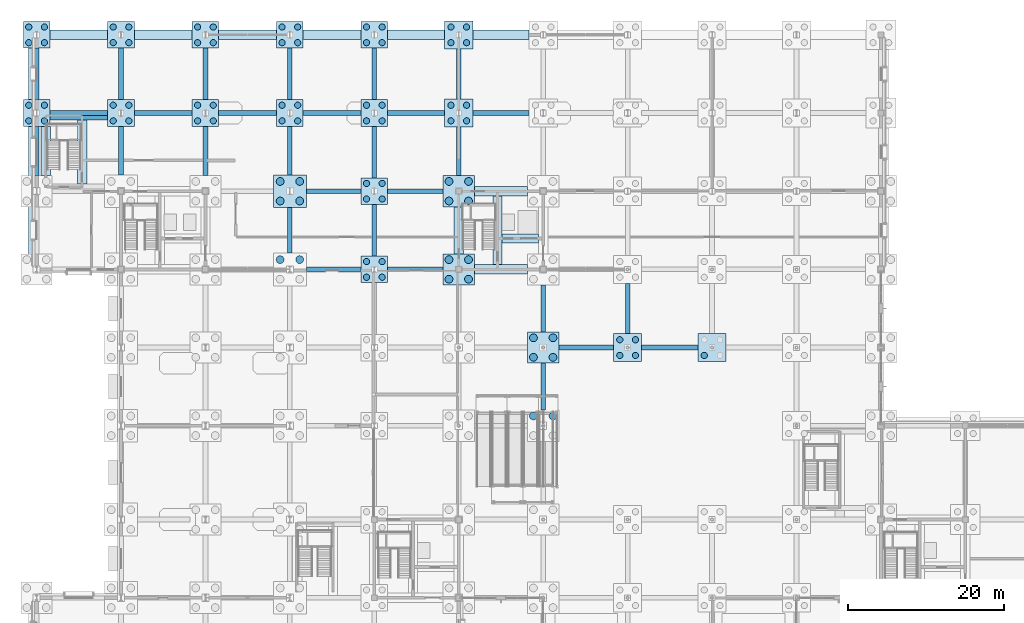
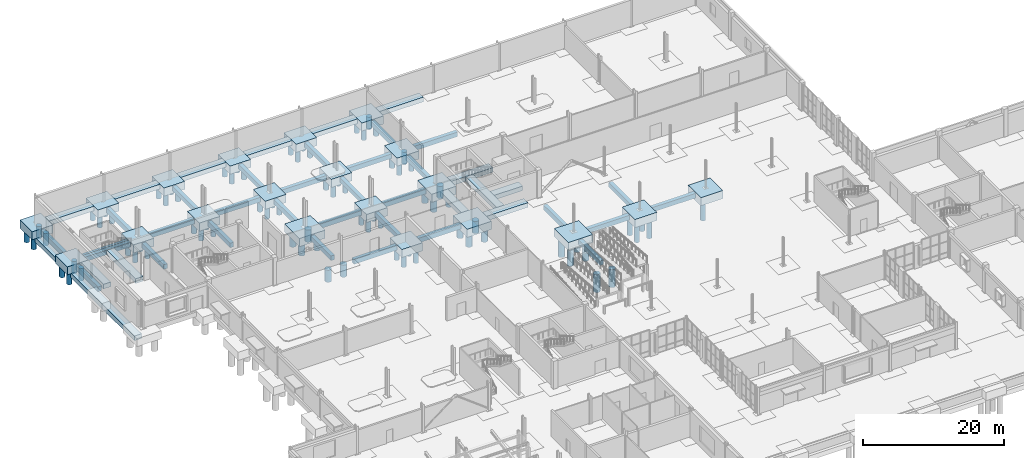
# One storey, part 5 of 73: 81 piles, 64 footings.
"""IFC4 building model written with IfcOpenShell, lengths in metres."""

from ifc_helpers import new_model, si_unit, direction, frame, origin, origin_2d, place, context, subcontext, project, spatial, rectangle, circle, extrude, material, material_profile, profile_set, type_object, element, save


model = new_model("IFC4")

# Units and contexts
model_context = context("Model", 3, precision=1e-05, world=origin(), true_north=direction((0.0, 1.0)))
body_context = subcontext(model_context, "Body", "Model", "MODEL_VIEW")
ifc_project = project(units=[si_unit("LENGTHUNIT", "METRE"), si_unit("AREAUNIT", "SQUARE_METRE"), si_unit("VOLUMEUNIT", "CUBIC_METRE"), si_unit("PLANEANGLEUNIT", "RADIAN"), si_unit("MASSUNIT", "GRAM", prefix="KILO")], contexts=[model_context])

# Site, building, storey
site_placement = place(None, origin())
site = spatial("IfcSite", under=ifc_project, at=site_placement, CompositionType="ELEMENT")
building_placement = place(site_placement, origin())
building = spatial("IfcBuilding", under=site, at=building_placement, Name="Tasgan Crest Museum", CompositionType="ELEMENT")
storey_placement = place(building_placement, origin())
storey = spatial("IfcBuildingStorey", under=building, at=storey_placement, Name="L00", CompositionType="ELEMENT", Elevation=0.0)

# Footings
ifc_material_1 = material(Name="Concrete C35/45", Category="concrete")
footing_type_1 = type_object("IfcFootingType", Name="FT-PC4-3400", PredefinedType="PILE_CAP", material=ifc_material_1)
for number, where, z_axis, x_axis, name in (
    (1, (0.0, 102.0, -1.39990234375), (0.0, 0.0, 1.0), (1.0, 0.0, 0.0), "Pile cap 1/L"),
    (2, (0.0, 112.0, -1.39990234375), (0.0, 0.0, 1.0), (1.0, 0.0, 0.0), "Pile cap 1/M"),
    (3, (10.800048828125, 102.0, -1.39990234375), (0.0, 0.0, 1.0), (1.0, 0.0, 0.0), "Pile cap 2/L"),
    (4, (10.800048828125, 112.0, -1.39990234375), (0.0, 0.0, 1.0), (1.0, 0.0, 0.0), "Pile cap 2/M"),
    (5, (21.60009765625, 102.0, -1.39990234375), (0.0, 0.0, 1.0), (1.0, 0.0, 0.0), "Pile cap 3/L"),
    (6, (21.60009765625, 112.0, -1.39990234375), (0.0, 0.0, 1.0), (1.0, 0.0, 0.0), "Pile cap 3/M"),
    (7, (32.39990234375, 102.0, -1.39990234375), (0.0, 0.0, 1.0), (1.0, 0.0, 0.0), "Pile cap 4/L"),
    (8, (32.39990234375, 112.0, -1.39990234375), (0.0, 0.0, 1.0), (1.0, 0.0, 0.0), "Pile cap 4/M"),
    (9, (43.199951171875, 82.0, -1.39990234375), (0.0, 0.0, 1.0), (1.0, 0.0, 0.0), "Pile cap 5/J"),
    (10, (43.199951171875, 92.0, -1.39990234375), (0.0, 0.0, 1.0), (1.0, 0.0, 0.0), "Pile cap 5/K"),
    (11, (43.199951171875, 102.0, -1.39990234375), (0.0, 0.0, 1.0), (1.0, 0.0, 0.0), "Pile cap 5/L"),
    (12, (43.199951171875, 112.0, -1.39990234375), (0.0, 0.0, 1.0), (1.0, 0.0, 0.0), "Pile cap 5/M"),
):
    element("IfcFooting", number, at=place(storey_placement, frame(where, z_axis=z_axis, x_axis=x_axis)), inside=storey, type_object=footing_type_1, Name=name, PredefinedType="PILE_CAP", context=body_context, shape_type="SweptSolid", body=[
        extrude(rectangle(XDim=3.39990234375, YDim=3.39990234375, at=origin_2d()), origin(), (0.0, 0.0, 1.0), 1.39990234375),
    ])
ifc_material_2 = material(Name="Concrete C35/45", Category="concrete")
footing_type_2 = type_object("IfcFootingType", Name="FT-PC4-3600", PredefinedType="PILE_CAP", material=ifc_material_2)
for number, where, z_axis, x_axis, name in (
    (13, (54.0, 102.0, -1.39990234375), (0.0, 0.0, 1.0), (1.0, 0.0, 0.0), "Pile cap 6/L"),
    (14, (54.0, 112.0, -1.39990234375), (0.0, 0.0, 1.0), (1.0, 0.0, 0.0), "Pile cap 6/M"),
    (15, (75.60009765625, 72.0, -1.39990234375), (0.0, 0.0, 1.0), (1.0, 0.0, 0.0), "Pile cap 8/H"),
    (16, (86.39990234375, 72.0, -1.39990234375), (0.0, 0.0, 1.0), (1.0, 0.0, 0.0), "Pile cap 9/H"),
):
    element("IfcFooting", number, at=place(storey_placement, frame(where, z_axis=z_axis, x_axis=x_axis)), inside=storey, type_object=footing_type_2, Name=name, PredefinedType="PILE_CAP", context=body_context, shape_type="SweptSolid", body=[
        extrude(rectangle(XDim=3.60009765625, YDim=3.60009765625, at=origin_2d()), origin(), (0.0, 0.0, 1.0), 1.39990234375),
    ])
ifc_material_3 = material(Name="Concrete C35/45", Category="concrete")
footing_type_3 = type_object("IfcFootingType", Name="FT-PC4-4000", PredefinedType="PILE_CAP", material=ifc_material_3)
for number, where, z_axis, x_axis, name in (
    (17, (54.0, 82.0, -1.39990234375), (0.0, 0.0, 1.0), (1.0, 0.0, 0.0), "Pile cap 6/J"),
    (18, (54.0, 92.0, -1.39990234375), (0.0, 0.0, 1.0), (1.0, 0.0, 0.0), "Pile cap 6/K"),
    (19, (64.800048828125, 72.0, -1.39990234375), (0.0, 0.0, 1.0), (1.0, 0.0, 0.0), "Pile cap 7/H"),
):
    element("IfcFooting", number, at=place(storey_placement, frame(where, z_axis=z_axis, x_axis=x_axis)), inside=storey, type_object=footing_type_3, Name=name, PredefinedType="PILE_CAP", context=body_context, shape_type="SweptSolid", body=[
        extrude(rectangle(XDim=4.0, YDim=4.0, at=origin_2d()), origin(), (0.0, 0.0, 1.0), 1.39990234375),
    ])
ifc_material_4 = material(Name="Concrete C35/45", Category="concrete")
footing_type_4 = type_object("IfcFootingType", Name="FT-PC4-4200", PredefinedType="PILE_CAP", material=ifc_material_4)
footing_1_placement = place(storey_placement, frame((32.39990234375, 92.0, -1.39990234375), z_axis=(0.0, 0.0, 1.0), x_axis=(1.0, 0.0, 0.0)))
element("IfcFooting", 20, at=footing_1_placement, inside=storey, type_object=footing_type_4, Name="Pile cap 4/K", PredefinedType="PILE_CAP", context=body_context, shape_type="SweptSolid", body=[
    extrude(rectangle(XDim=4.199951171875, YDim=4.199951171875, at=origin_2d()), origin(), (0.0, 0.0, 1.0), 1.39990234375),
])
ifc_material_5 = material(Name="Concrete C35/45", Category="concrete")
ifc_material_profile_1 = material_profile(ifc_material_5, rectangle(XDim=1.199951171875, YDim=0.800048828125, at=origin_2d()), Name="SF 1200x800")
ifc_profile_set_1 = profile_set([ifc_material_profile_1], Name="Concrete C35/45")
footing_type_5 = type_object("IfcFootingType", Name="FT-SF-1200X800", PredefinedType="STRIP_FOOTING", material=ifc_profile_set_1)
footing_2_placement = place(storey_placement, frame((1.699951171875, 112.0, -0.39990234375), z_axis=(1.0, 0.0, 0.0), x_axis=(0.0, 1.0, 0.0)))
element("IfcFooting", 21, at=footing_2_placement, inside=storey, type_object=footing_type_5, Name="North retaining strip footing 0.0-10.8", PredefinedType="STRIP_FOOTING", context=body_context, shape_type="SweptSolid", body=[
    extrude(rectangle(XDim=1.199951171875, YDim=0.800048828125, at=origin_2d()), origin(), (0.0, 0.0, 1.0), 7.400146484375),
])
for number, where, z_axis, x_axis, name in (
    (22, (12.5, 112.0, -0.39990234375), (1.0, 0.0, 0.0), (0.0, 1.0, 0.0), "North retaining strip footing 10.8-21.6"),
    (23, (23.300048828125, 112.0, -0.39990234375), (1.0, 0.0, 0.0), (0.0, 1.0, 0.0), "North retaining strip footing 21.6-32.4"),
    (24, (34.10009765625, 112.0, -0.39990234375), (1.0, 0.0, 0.0), (0.0, 1.0, 0.0), "North retaining strip footing 32.4-43.2"),
):
    element("IfcFooting", number, at=place(storey_placement, frame(where, z_axis=z_axis, x_axis=x_axis)), inside=storey, type_object=footing_type_5, Name=name, PredefinedType="STRIP_FOOTING", context=body_context, shape_type="SweptSolid", body=[
        extrude(rectangle(XDim=1.199951171875, YDim=0.800048828125, at=origin_2d()), origin(), (0.0, 0.0, 1.0), 7.39990234375),
    ])
footing_3_placement = place(storey_placement, frame((44.89990234375, 112.0, -0.39990234375), z_axis=(1.0, 0.0, 0.0), x_axis=(0.0, 1.0, 0.0)))
element("IfcFooting", 25, at=footing_3_placement, inside=storey, type_object=footing_type_5, Name="North retaining strip footing 43.2-54.0", PredefinedType="STRIP_FOOTING", context=body_context, shape_type="SweptSolid", body=[
    extrude(rectangle(XDim=1.199951171875, YDim=0.800048828125, at=origin_2d()), origin(), (0.0, 0.0, 1.0), 7.300048828125),
])
footing_4_placement = place(storey_placement, frame((55.800048828125, 112.0, -0.39990234375), z_axis=(1.0, 0.0, 0.0), x_axis=(0.0, 1.0, 0.0)))
element("IfcFooting", 26, at=footing_4_placement, inside=storey, type_object=footing_type_5, Name="North retaining strip footing 54.0-64.8", PredefinedType="STRIP_FOOTING", context=body_context, shape_type="SweptSolid", body=[
    extrude(rectangle(XDim=1.199951171875, YDim=0.800048828125, at=origin_2d()), origin(), (0.0, 0.0, 1.0), 7.199951171875),
])
footing_5_placement = place(storey_placement, frame((-0.429931640625, 82.449951171875, -1.780029296875), z_axis=(0.0, 1.0, 0.0), x_axis=(-1.0, 0.0, 0.0)))
element("IfcFooting", 27, at=footing_5_placement, inside=storey, type_object=footing_type_5, Name="Hillside plinth footing W-NORTH-SLOPE", PredefinedType="STRIP_FOOTING", context=body_context, shape_type="SweptSolid", body=[
    extrude(rectangle(XDim=1.199951171875, YDim=0.800048828125, at=origin_2d()), origin(), (0.0, 0.0, 1.0), 29.10009765625),
])
footing_6_placement = place(storey_placement, frame((58.949951171875, 82.60009765625, -0.39990234375), z_axis=(0.0, 1.0, 0.0), x_axis=(-1.0, 0.0, 0.0)))
element("IfcFooting", 28, at=footing_6_placement, inside=storey, type_object=footing_type_5, Name="North-Central Sawtooth Core dividing strip footing", PredefinedType="STRIP_FOOTING", context=body_context, shape_type="SweptSolid", body=[
    extrude(rectangle(XDim=1.199951171875, YDim=0.800048828125, at=origin_2d()), origin(), (0.0, 0.0, 1.0), 8.7998046875),
])
footing_7_placement = place(storey_placement, frame((59.550048828125, 85.949951171875, -0.39990234375), z_axis=(1.0, 0.0, 0.0), x_axis=(0.0, 1.0, 0.0)))
element("IfcFooting", 29, at=footing_7_placement, inside=storey, type_object=footing_type_5, Name="North-Central Sawtooth Core shaft strip footing", PredefinedType="STRIP_FOOTING", context=body_context, shape_type="SweptSolid", body=[
    extrude(rectangle(XDim=1.199951171875, YDim=0.800048828125, at=origin_2d()), origin(), (0.0, 0.0, 1.0), 4.64990234375),
])
for number, where, z_axis, x_axis, name in (
    (30, (56.0, 82.0, -0.39990234375), (1.0, 0.0, 0.0), (0.0, 1.0, 0.0), "North-Central Sawtooth Core S strip footing"),
    (31, (56.0, 92.0, -0.39990234375), (1.0, 0.0, 0.0), (0.0, 1.0, 0.0), "North-Central Sawtooth Core N strip footing"),
):
    element("IfcFooting", number, at=place(storey_placement, frame(where, z_axis=z_axis, x_axis=x_axis)), inside=storey, type_object=footing_type_5, Name=name, PredefinedType="STRIP_FOOTING", context=body_context, shape_type="SweptSolid", body=[
        extrude(rectangle(XDim=1.199951171875, YDim=0.800048828125, at=origin_2d()), origin(), (0.0, 0.0, 1.0), 6.800048828125),
    ])
footing_8_placement = place(storey_placement, frame((54.0, 84.0, -0.39990234375), z_axis=(0.0, 1.0, 0.0), x_axis=(-1.0, 0.0, 0.0)))
element("IfcFooting", 32, at=footing_8_placement, inside=storey, type_object=footing_type_5, Name="North-Central Sawtooth Core W strip footing", PredefinedType="STRIP_FOOTING", context=body_context, shape_type="SweptSolid", body=[
    extrude(rectangle(XDim=1.199951171875, YDim=0.800048828125, at=origin_2d()), origin(), (0.0, 0.0, 1.0), 6.0),
])
footing_9_placement = place(storey_placement, frame((1.179931640625, 94.0, -0.39990234375), z_axis=(0.0, 1.0, 0.0), x_axis=(-1.0, 0.0, 0.0)))
element("IfcFooting", 33, at=footing_9_placement, inside=storey, type_object=footing_type_5, Name="GALW west footing", PredefinedType="STRIP_FOOTING", context=body_context, shape_type="SweptSolid", body=[
    extrude(rectangle(XDim=1.199951171875, YDim=0.800048828125, at=origin_2d()), origin(), (0.0, 0.0, 1.0), 6.300048828125),
])
footing_10_placement = place(storey_placement, frame((5.820068359375, 92.89990234375, -0.39990234375), z_axis=(0.0, 1.0, 0.0), x_axis=(-1.0, 0.0, 0.0)))
element("IfcFooting", 34, at=footing_10_placement, inside=storey, type_object=footing_type_5, Name="GALW east footing", PredefinedType="STRIP_FOOTING", context=body_context, shape_type="SweptSolid", body=[
    extrude(rectangle(XDim=1.199951171875, YDim=0.800048828125, at=origin_2d()), origin(), (0.0, 0.0, 1.0), 8.2001953125),
])
ifc_material_6 = material(Name="Concrete C35/45", Category="concrete")
ifc_material_profile_2 = material_profile(ifc_material_6, rectangle(XDim=0.60009765625, YDim=0.800048828125, at=origin_2d()), Name="TB 600x800")
ifc_profile_set_2 = profile_set([ifc_material_profile_2], Name="Concrete C35/45")
footing_type_6 = type_object("IfcFootingType", Name="FT-TB-600X800", PredefinedType="FOOTING_BEAM", material=ifc_profile_set_2)
footing_11_placement = place(storey_placement, frame((66.800048828125, 72.0, -0.550048828125), z_axis=(1.0, 0.0, 0.0), x_axis=(0.0, 1.0, 0.0)))
element("IfcFooting", 35, at=footing_11_placement, inside=storey, type_object=footing_type_6, Name="Ground tie beam H 64.8-75.6", PredefinedType="FOOTING_BEAM", context=body_context, shape_type="SweptSolid", body=[
    extrude(rectangle(XDim=0.60009765625, YDim=0.800048828125, at=origin_2d()), origin(), (0.0, 0.0, 1.0), 7.0),
])
footing_12_placement = place(storey_placement, frame((77.39990234375, 72.0, -0.550048828125), z_axis=(1.0, 0.0, 0.0), x_axis=(0.0, 1.0, 0.0)))
element("IfcFooting", 36, at=footing_12_placement, inside=storey, type_object=footing_type_6, Name="Ground tie beam H 75.6-86.4", PredefinedType="FOOTING_BEAM", context=body_context, shape_type="SweptSolid", body=[
    extrude(rectangle(XDim=0.60009765625, YDim=0.800048828125, at=origin_2d()), origin(), (0.0, 0.0, 1.0), 7.2001953125),
])
footing_13_placement = place(storey_placement, frame((34.5, 82.0, -0.550048828125), z_axis=(1.0, 0.0, 0.0), x_axis=(0.0, 1.0, 0.0)))
element("IfcFooting", 37, at=footing_13_placement, inside=storey, type_object=footing_type_6, Name="Ground tie beam J 32.4-43.2", PredefinedType="FOOTING_BEAM", context=body_context, shape_type="SweptSolid", body=[
    extrude(rectangle(XDim=0.60009765625, YDim=0.800048828125, at=origin_2d()), origin(), (0.0, 0.0, 1.0), 7.0),
])
footing_14_placement = place(storey_placement, frame((44.89990234375, 82.0, -0.550048828125), z_axis=(1.0, 0.0, 0.0), x_axis=(0.0, 1.0, 0.0)))
element("IfcFooting", 38, at=footing_14_placement, inside=storey, type_object=footing_type_6, Name="Ground tie beam J 43.2-54.0", PredefinedType="FOOTING_BEAM", context=body_context, shape_type="SweptSolid", body=[
    extrude(rectangle(XDim=0.60009765625, YDim=0.800048828125, at=origin_2d()), origin(), (0.0, 0.0, 1.0), 7.10009765625),
])
footing_15_placement = place(storey_placement, frame((34.5, 92.0, -0.550048828125), z_axis=(1.0, 0.0, 0.0), x_axis=(0.0, 1.0, 0.0)))
element("IfcFooting", 39, at=footing_15_placement, inside=storey, type_object=footing_type_6, Name="Ground tie beam K 32.4-43.2", PredefinedType="FOOTING_BEAM", context=body_context, shape_type="SweptSolid", body=[
    extrude(rectangle(XDim=0.60009765625, YDim=0.800048828125, at=origin_2d()), origin(), (0.0, 0.0, 1.0), 7.0),
])
footing_16_placement = place(storey_placement, frame((44.89990234375, 92.0, -0.550048828125), z_axis=(1.0, 0.0, 0.0), x_axis=(0.0, 1.0, 0.0)))
element("IfcFooting", 40, at=footing_16_placement, inside=storey, type_object=footing_type_6, Name="Ground tie beam K 43.2-54.0", PredefinedType="FOOTING_BEAM", context=body_context, shape_type="SweptSolid", body=[
    extrude(rectangle(XDim=0.60009765625, YDim=0.800048828125, at=origin_2d()), origin(), (0.0, 0.0, 1.0), 7.10009765625),
])
footing_17_placement = place(storey_placement, frame((1.699951171875, 102.0, -0.550048828125), z_axis=(1.0, 0.0, 0.0), x_axis=(0.0, 1.0, 0.0)))
element("IfcFooting", 41, at=footing_17_placement, inside=storey, type_object=footing_type_6, Name="Ground tie beam L 0.0-10.8", PredefinedType="FOOTING_BEAM", context=body_context, shape_type="SweptSolid", body=[
    extrude(rectangle(XDim=0.60009765625, YDim=0.800048828125, at=origin_2d()), origin(), (0.0, 0.0, 1.0), 7.400146484375),
])
for number, where, z_axis, x_axis, name in (
    (42, (12.5, 102.0, -0.550048828125), (1.0, 0.0, 0.0), (0.0, 1.0, 0.0), "Ground tie beam L 10.8-21.6"),
    (43, (23.300048828125, 102.0, -0.550048828125), (1.0, 0.0, 0.0), (0.0, 1.0, 0.0), "Ground tie beam L 21.6-32.4"),
    (44, (34.10009765625, 102.0, -0.550048828125), (1.0, 0.0, 0.0), (0.0, 1.0, 0.0), "Ground tie beam L 32.4-43.2"),
):
    element("IfcFooting", number, at=place(storey_placement, frame(where, z_axis=z_axis, x_axis=x_axis)), inside=storey, type_object=footing_type_6, Name=name, PredefinedType="FOOTING_BEAM", context=body_context, shape_type="SweptSolid", body=[
        extrude(rectangle(XDim=0.60009765625, YDim=0.800048828125, at=origin_2d()), origin(), (0.0, 0.0, 1.0), 7.39990234375),
    ])
footing_18_placement = place(storey_placement, frame((44.89990234375, 102.0, -0.550048828125), z_axis=(1.0, 0.0, 0.0), x_axis=(0.0, 1.0, 0.0)))
element("IfcFooting", 45, at=footing_18_placement, inside=storey, type_object=footing_type_6, Name="Ground tie beam L 43.2-54.0", PredefinedType="FOOTING_BEAM", context=body_context, shape_type="SweptSolid", body=[
    extrude(rectangle(XDim=0.60009765625, YDim=0.800048828125, at=origin_2d()), origin(), (0.0, 0.0, 1.0), 7.300048828125),
])
footing_19_placement = place(storey_placement, frame((55.800048828125, 102.0, -0.550048828125), z_axis=(1.0, 0.0, 0.0), x_axis=(0.0, 1.0, 0.0)))
element("IfcFooting", 46, at=footing_19_placement, inside=storey, type_object=footing_type_6, Name="Ground tie beam L 54.0-64.8", PredefinedType="FOOTING_BEAM", context=body_context, shape_type="SweptSolid", body=[
    extrude(rectangle(XDim=0.60009765625, YDim=0.800048828125, at=origin_2d()), origin(), (0.0, 0.0, 1.0), 7.199951171875),
])
footing_20_placement = place(storey_placement, frame((0.0, 94.0, -0.550048828125), z_axis=(0.0, 1.0, 0.0), x_axis=(-1.0, 0.0, 0.0)))
element("IfcFooting", 47, at=footing_20_placement, inside=storey, type_object=footing_type_6, Name="Ground tie beam 1 92.0-102.0", PredefinedType="FOOTING_BEAM", context=body_context, shape_type="SweptSolid", body=[
    extrude(rectangle(XDim=0.60009765625, YDim=0.800048828125, at=origin_2d()), origin(), (0.0, 0.0, 1.0), 6.300048828125),
])
footing_21_placement = place(storey_placement, frame((0.0, 103.699951171875, -0.550048828125), z_axis=(0.0, 1.0, 0.0), x_axis=(-1.0, 0.0, 0.0)))
element("IfcFooting", 48, at=footing_21_placement, inside=storey, type_object=footing_type_6, Name="Ground tie beam 1 102.0-112.0", PredefinedType="FOOTING_BEAM", context=body_context, shape_type="SweptSolid", body=[
    extrude(rectangle(XDim=0.60009765625, YDim=0.800048828125, at=origin_2d()), origin(), (0.0, 0.0, 1.0), 6.60009765625),
])
footing_22_placement = place(storey_placement, frame((10.800048828125, 94.10009765625, -0.550048828125), z_axis=(0.0, 1.0, 0.0), x_axis=(-1.0, 0.0, 0.0)))
element("IfcFooting", 49, at=footing_22_placement, inside=storey, type_object=footing_type_6, Name="Ground tie beam 2 92.0-102.0", PredefinedType="FOOTING_BEAM", context=body_context, shape_type="SweptSolid", body=[
    extrude(rectangle(XDim=0.60009765625, YDim=0.800048828125, at=origin_2d()), origin(), (0.0, 0.0, 1.0), 6.199951171875),
])
footing_23_placement = place(storey_placement, frame((10.800048828125, 103.699951171875, -0.550048828125), z_axis=(0.0, 1.0, 0.0), x_axis=(-1.0, 0.0, 0.0)))
element("IfcFooting", 50, at=footing_23_placement, inside=storey, type_object=footing_type_6, Name="Ground tie beam 2 102.0-112.0", PredefinedType="FOOTING_BEAM", context=body_context, shape_type="SweptSolid", body=[
    extrude(rectangle(XDim=0.60009765625, YDim=0.800048828125, at=origin_2d()), origin(), (0.0, 0.0, 1.0), 6.60009765625),
])
footing_24_placement = place(storey_placement, frame((21.60009765625, 94.0, -0.550048828125), z_axis=(0.0, 1.0, 0.0), x_axis=(-1.0, 0.0, 0.0)))
element("IfcFooting", 51, at=footing_24_placement, inside=storey, type_object=footing_type_6, Name="Ground tie beam 3 92.0-102.0", PredefinedType="FOOTING_BEAM", context=body_context, shape_type="SweptSolid", body=[
    extrude(rectangle(XDim=0.60009765625, YDim=0.800048828125, at=origin_2d()), origin(), (0.0, 0.0, 1.0), 6.300048828125),
])
footing_25_placement = place(storey_placement, frame((21.60009765625, 103.699951171875, -0.550048828125), z_axis=(0.0, 1.0, 0.0), x_axis=(-1.0, 0.0, 0.0)))
element("IfcFooting", 52, at=footing_25_placement, inside=storey, type_object=footing_type_6, Name="Ground tie beam 3 102.0-112.0", PredefinedType="FOOTING_BEAM", context=body_context, shape_type="SweptSolid", body=[
    extrude(rectangle(XDim=0.60009765625, YDim=0.800048828125, at=origin_2d()), origin(), (0.0, 0.0, 1.0), 6.60009765625),
])
footing_26_placement = place(storey_placement, frame((32.39990234375, 84.10009765625, -0.550048828125), z_axis=(0.0, 1.0, 0.0), x_axis=(-1.0, 0.0, 0.0)))
element("IfcFooting", 53, at=footing_26_placement, inside=storey, type_object=footing_type_6, Name="Ground tie beam 4 82.0-92.0", PredefinedType="FOOTING_BEAM", context=body_context, shape_type="SweptSolid", body=[
    extrude(rectangle(XDim=0.60009765625, YDim=0.800048828125, at=origin_2d()), origin(), (0.0, 0.0, 1.0), 5.7998046875),
])
footing_27_placement = place(storey_placement, frame((32.39990234375, 94.10009765625, -0.550048828125), z_axis=(0.0, 1.0, 0.0), x_axis=(-1.0, 0.0, 0.0)))
element("IfcFooting", 54, at=footing_27_placement, inside=storey, type_object=footing_type_6, Name="Ground tie beam 4 92.0-102.0", PredefinedType="FOOTING_BEAM", context=body_context, shape_type="SweptSolid", body=[
    extrude(rectangle(XDim=0.60009765625, YDim=0.800048828125, at=origin_2d()), origin(), (0.0, 0.0, 1.0), 6.199951171875),
])
for number, where, z_axis, x_axis, name in (
    (55, (32.39990234375, 103.699951171875, -0.550048828125), (0.0, 1.0, 0.0), (-1.0, 0.0, 0.0), "Ground tie beam 4 102.0-112.0"),
    (56, (43.199951171875, 83.699951171875, -0.550048828125), (0.0, 1.0, 0.0), (-1.0, 0.0, 0.0), "Ground tie beam 5 82.0-92.0"),
    (57, (43.199951171875, 93.699951171875, -0.550048828125), (0.0, 1.0, 0.0), (-1.0, 0.0, 0.0), "Ground tie beam 5 92.0-102.0"),
    (58, (43.199951171875, 103.699951171875, -0.550048828125), (0.0, 1.0, 0.0), (-1.0, 0.0, 0.0), "Ground tie beam 5 102.0-112.0"),
):
    element("IfcFooting", number, at=place(storey_placement, frame(where, z_axis=z_axis, x_axis=x_axis)), inside=storey, type_object=footing_type_6, Name=name, PredefinedType="FOOTING_BEAM", context=body_context, shape_type="SweptSolid", body=[
        extrude(rectangle(XDim=0.60009765625, YDim=0.800048828125, at=origin_2d()), origin(), (0.0, 0.0, 1.0), 6.60009765625),
    ])
footing_28_placement = place(storey_placement, frame((54.0, 94.0, -0.550048828125), z_axis=(0.0, 1.0, 0.0), x_axis=(-1.0, 0.0, 0.0)))
element("IfcFooting", 59, at=footing_28_placement, inside=storey, type_object=footing_type_6, Name="Ground tie beam 6 92.0-102.0", PredefinedType="FOOTING_BEAM", context=body_context, shape_type="SweptSolid", body=[
    extrude(rectangle(XDim=0.60009765625, YDim=0.800048828125, at=origin_2d()), origin(), (0.0, 0.0, 1.0), 6.199951171875),
])
footing_29_placement = place(storey_placement, frame((54.0, 103.800048828125, -0.550048828125), z_axis=(0.0, 1.0, 0.0), x_axis=(-1.0, 0.0, 0.0)))
element("IfcFooting", 60, at=footing_29_placement, inside=storey, type_object=footing_type_6, Name="Ground tie beam 6 102.0-112.0", PredefinedType="FOOTING_BEAM", context=body_context, shape_type="SweptSolid", body=[
    extrude(rectangle(XDim=0.60009765625, YDim=0.800048828125, at=origin_2d()), origin(), (0.0, 0.0, 1.0), 6.39990234375),
])
for number, where, z_axis, x_axis, name in (
    (61, (64.800048828125, 64.0, -0.550048828125), (0.0, 1.0, 0.0), (-1.0, 0.0, 0.0), "Ground tie beam 7 62.0-72.0"),
    (62, (64.800048828125, 74.0, -0.550048828125), (0.0, 1.0, 0.0), (-1.0, 0.0, 0.0), "Ground tie beam 7 72.0-82.0"),
):
    element("IfcFooting", number, at=place(storey_placement, frame(where, z_axis=z_axis, x_axis=x_axis)), inside=storey, type_object=footing_type_6, Name=name, PredefinedType="FOOTING_BEAM", context=body_context, shape_type="SweptSolid", body=[
        extrude(rectangle(XDim=0.60009765625, YDim=0.800048828125, at=origin_2d()), origin(), (0.0, 0.0, 1.0), 6.0),
    ])
footing_30_placement = place(storey_placement, frame((75.60009765625, 73.800048828125, -0.550048828125), z_axis=(0.0, 1.0, 0.0), x_axis=(-1.0, 0.0, 0.0)))
element("IfcFooting", 63, at=footing_30_placement, inside=storey, type_object=footing_type_6, Name="Ground tie beam 8 72.0-82.0", PredefinedType="FOOTING_BEAM", context=body_context, shape_type="SweptSolid", body=[
    extrude(rectangle(XDim=0.60009765625, YDim=0.800048828125, at=origin_2d()), origin(), (0.0, 0.0, 1.0), 6.39990234375),
])
footing_31_placement = place(storey_placement, frame((1.699951171875, 101.39990234375, -0.39990234375), z_axis=(1.0, 0.0, 0.0), x_axis=(0.0, 1.0, 0.0)))
element("IfcFooting", 64, at=footing_31_placement, inside=storey, type_object=footing_type_6, Name="GALW north footing", PredefinedType="FOOTING_BEAM", context=body_context, shape_type="SweptSolid", body=[
    extrude(rectangle(XDim=0.60009765625, YDim=0.800048828125, at=origin_2d()), origin(), (0.0, 0.0, 1.0), 7.400146484375),
])

# Piles
ifc_material_7 = material(Name="Concrete C35/45", Category="concrete")
ifc_material_profile_3 = material_profile(ifc_material_7, circle(Radius=0.5, at=origin_2d()), Name="PILE D1000")
ifc_profile_set_3 = profile_set([ifc_material_profile_3], Name="Concrete C35/45")
pile_type_1 = type_object("IfcPileType", Name="PILE-B1000", PredefinedType="BORED", material=ifc_profile_set_3)
for number, where, z_axis, x_axis, name in (
    (65, (31.14990234375, 83.25, -1.39990234375), (0.0, 0.0, -1.0), (1.0, 0.0, 0.0), "Bored pile 4/J-P3"),
    (66, (33.64990234375, 83.25, -1.39990234375), (0.0, 0.0, -1.0), (1.0, 0.0, 0.0), "Bored pile 4/J-P4"),
    (67, (31.14990234375, 90.75, -1.39990234375), (0.0, 0.0, -1.0), (1.0, 0.0, 0.0), "Bored pile 4/K-P1"),
    (68, (33.64990234375, 90.75, -1.39990234375), (0.0, 0.0, -1.0), (1.0, 0.0, 0.0), "Bored pile 4/K-P2"),
    (69, (31.14990234375, 93.25, -1.39990234375), (0.0, 0.0, -1.0), (1.0, 0.0, 0.0), "Bored pile 4/K-P3"),
    (70, (33.64990234375, 93.25, -1.39990234375), (0.0, 0.0, -1.0), (1.0, 0.0, 0.0), "Bored pile 4/K-P4"),
    (71, (52.75, 80.75, -1.39990234375), (0.0, 0.0, -1.0), (1.0, 0.0, 0.0), "Bored pile 6/J-P1"),
    (72, (55.25, 80.75, -1.39990234375), (0.0, 0.0, -1.0), (1.0, 0.0, 0.0), "Bored pile 6/J-P2"),
    (73, (52.75, 83.25, -1.39990234375), (0.0, 0.0, -1.0), (1.0, 0.0, 0.0), "Bored pile 6/J-P3"),
    (74, (55.25, 83.25, -1.39990234375), (0.0, 0.0, -1.0), (1.0, 0.0, 0.0), "Bored pile 6/J-P4"),
    (75, (52.75, 90.75, -1.39990234375), (0.0, 0.0, -1.0), (1.0, 0.0, 0.0), "Bored pile 6/K-P1"),
    (76, (55.25, 90.75, -1.39990234375), (0.0, 0.0, -1.0), (1.0, 0.0, 0.0), "Bored pile 6/K-P2"),
    (77, (52.75, 93.25, -1.39990234375), (0.0, 0.0, -1.0), (1.0, 0.0, 0.0), "Bored pile 6/K-P3"),
    (78, (55.25, 93.25, -1.39990234375), (0.0, 0.0, -1.0), (1.0, 0.0, 0.0), "Bored pile 6/K-P4"),
):
    element("IfcPile", number, at=place(storey_placement, frame(where, z_axis=z_axis, x_axis=x_axis)), inside=storey, type_object=pile_type_1, Name=name, PredefinedType="BORED", context=body_context, shape_type="SweptSolid", body=[
        extrude(circle(Radius=0.5, at=origin_2d()), origin(), (0.0, 0.0, 1.0), 2.10009765625),
    ])
for number, where, z_axis, x_axis, name in (
    (79, (63.550048828125, 63.25, -1.39990234375), (0.0, 0.0, -1.0), (1.0, 0.0, 0.0), "Bored pile 7/G-P3"),
    (80, (66.050048828125, 63.25, -1.39990234375), (0.0, 0.0, -1.0), (1.0, 0.0, 0.0), "Bored pile 7/G-P4"),
    (81, (63.550048828125, 70.75, -1.39990234375), (0.0, 0.0, -1.0), (1.0, 0.0, 0.0), "Bored pile 7/H-P1"),
    (82, (66.050048828125, 70.75, -1.39990234375), (0.0, 0.0, -1.0), (1.0, 0.0, 0.0), "Bored pile 7/H-P2"),
    (83, (63.550048828125, 73.25, -1.39990234375), (0.0, 0.0, -1.0), (1.0, 0.0, 0.0), "Bored pile 7/H-P3"),
    (84, (66.050048828125, 73.25, -1.39990234375), (0.0, 0.0, -1.0), (1.0, 0.0, 0.0), "Bored pile 7/H-P4"),
):
    element("IfcPile", number, at=place(storey_placement, frame(where, z_axis=z_axis, x_axis=x_axis)), inside=storey, type_object=pile_type_1, Name=name, PredefinedType="BORED", context=body_context, shape_type="SweptSolid", body=[
        extrude(circle(Radius=0.5, at=origin_2d()), origin(), (0.0, 0.0, 1.0), 3.10009765625),
    ])
ifc_material_8 = material(Name="Concrete C35/45", Category="concrete")
ifc_material_profile_4 = material_profile(ifc_material_8, circle(Radius=0.39990234375, at=origin_2d()), Name="PILE D800")
ifc_profile_set_4 = profile_set([ifc_material_profile_4], Name="Concrete C35/45")
pile_type_2 = type_object("IfcPileType", Name="PILE-B800", PredefinedType="BORED", material=ifc_profile_set_4)
for number, where, z_axis, x_axis, name in (
    (85, (-1.0, 101.0, -1.39990234375), (0.0, 0.0, -1.0), (1.0, 0.0, 0.0), "Bored pile 1/L-P1"),
    (86, (1.0, 101.0, -1.39990234375), (0.0, 0.0, -1.0), (1.0, 0.0, 0.0), "Bored pile 1/L-P2"),
    (87, (-1.0, 103.0, -1.39990234375), (0.0, 0.0, -1.0), (1.0, 0.0, 0.0), "Bored pile 1/L-P3"),
    (88, (1.0, 103.0, -1.39990234375), (0.0, 0.0, -1.0), (1.0, 0.0, 0.0), "Bored pile 1/L-P4"),
    (89, (-1.0, 111.0, -1.39990234375), (0.0, 0.0, -1.0), (1.0, 0.0, 0.0), "Bored pile 1/M-P1"),
    (90, (1.0, 111.0, -1.39990234375), (0.0, 0.0, -1.0), (1.0, 0.0, 0.0), "Bored pile 1/M-P2"),
    (91, (-1.0, 113.0, -1.39990234375), (0.0, 0.0, -1.0), (1.0, 0.0, 0.0), "Bored pile 1/M-P3"),
    (92, (1.0, 113.0, -1.39990234375), (0.0, 0.0, -1.0), (1.0, 0.0, 0.0), "Bored pile 1/M-P4"),
    (93, (9.800048828125, 101.0, -1.39990234375), (0.0, 0.0, -1.0), (1.0, 0.0, 0.0), "Bored pile 2/L-P1"),
    (94, (11.800048828125, 101.0, -1.39990234375), (0.0, 0.0, -1.0), (1.0, 0.0, 0.0), "Bored pile 2/L-P2"),
    (95, (9.800048828125, 103.0, -1.39990234375), (0.0, 0.0, -1.0), (1.0, 0.0, 0.0), "Bored pile 2/L-P3"),
    (96, (11.800048828125, 103.0, -1.39990234375), (0.0, 0.0, -1.0), (1.0, 0.0, 0.0), "Bored pile 2/L-P4"),
    (97, (9.800048828125, 111.0, -1.39990234375), (0.0, 0.0, -1.0), (1.0, 0.0, 0.0), "Bored pile 2/M-P1"),
    (98, (11.800048828125, 111.0, -1.39990234375), (0.0, 0.0, -1.0), (1.0, 0.0, 0.0), "Bored pile 2/M-P2"),
    (99, (9.800048828125, 113.0, -1.39990234375), (0.0, 0.0, -1.0), (1.0, 0.0, 0.0), "Bored pile 2/M-P3"),
    (100, (11.800048828125, 113.0, -1.39990234375), (0.0, 0.0, -1.0), (1.0, 0.0, 0.0), "Bored pile 2/M-P4"),
    (101, (20.60009765625, 101.0, -1.39990234375), (0.0, 0.0, -1.0), (1.0, 0.0, 0.0), "Bored pile 3/L-P1"),
    (102, (22.60009765625, 101.0, -1.39990234375), (0.0, 0.0, -1.0), (1.0, 0.0, 0.0), "Bored pile 3/L-P2"),
    (103, (20.60009765625, 103.0, -1.39990234375), (0.0, 0.0, -1.0), (1.0, 0.0, 0.0), "Bored pile 3/L-P3"),
    (104, (22.60009765625, 103.0, -1.39990234375), (0.0, 0.0, -1.0), (1.0, 0.0, 0.0), "Bored pile 3/L-P4"),
    (105, (20.60009765625, 111.0, -1.39990234375), (0.0, 0.0, -1.0), (1.0, 0.0, 0.0), "Bored pile 3/M-P1"),
    (106, (22.60009765625, 111.0, -1.39990234375), (0.0, 0.0, -1.0), (1.0, 0.0, 0.0), "Bored pile 3/M-P2"),
    (107, (20.60009765625, 113.0, -1.39990234375), (0.0, 0.0, -1.0), (1.0, 0.0, 0.0), "Bored pile 3/M-P3"),
    (108, (22.60009765625, 113.0, -1.39990234375), (0.0, 0.0, -1.0), (1.0, 0.0, 0.0), "Bored pile 3/M-P4"),
    (109, (31.39990234375, 101.0, -1.39990234375), (0.0, 0.0, -1.0), (1.0, 0.0, 0.0), "Bored pile 4/L-P1"),
    (110, (33.39990234375, 101.0, -1.39990234375), (0.0, 0.0, -1.0), (1.0, 0.0, 0.0), "Bored pile 4/L-P2"),
    (111, (31.39990234375, 103.0, -1.39990234375), (0.0, 0.0, -1.0), (1.0, 0.0, 0.0), "Bored pile 4/L-P3"),
    (112, (33.39990234375, 103.0, -1.39990234375), (0.0, 0.0, -1.0), (1.0, 0.0, 0.0), "Bored pile 4/L-P4"),
    (113, (31.39990234375, 111.0, -1.39990234375), (0.0, 0.0, -1.0), (1.0, 0.0, 0.0), "Bored pile 4/M-P1"),
    (114, (33.39990234375, 111.0, -1.39990234375), (0.0, 0.0, -1.0), (1.0, 0.0, 0.0), "Bored pile 4/M-P2"),
    (115, (31.39990234375, 113.0, -1.39990234375), (0.0, 0.0, -1.0), (1.0, 0.0, 0.0), "Bored pile 4/M-P3"),
    (116, (33.39990234375, 113.0, -1.39990234375), (0.0, 0.0, -1.0), (1.0, 0.0, 0.0), "Bored pile 4/M-P4"),
    (117, (42.199951171875, 81.0, -1.39990234375), (0.0, 0.0, -1.0), (1.0, 0.0, 0.0), "Bored pile 5/J-P1"),
    (118, (44.199951171875, 81.0, -1.39990234375), (0.0, 0.0, -1.0), (1.0, 0.0, 0.0), "Bored pile 5/J-P2"),
    (119, (42.199951171875, 83.0, -1.39990234375), (0.0, 0.0, -1.0), (1.0, 0.0, 0.0), "Bored pile 5/J-P3"),
    (120, (44.199951171875, 83.0, -1.39990234375), (0.0, 0.0, -1.0), (1.0, 0.0, 0.0), "Bored pile 5/J-P4"),
    (121, (42.199951171875, 91.0, -1.39990234375), (0.0, 0.0, -1.0), (1.0, 0.0, 0.0), "Bored pile 5/K-P1"),
    (122, (44.199951171875, 91.0, -1.39990234375), (0.0, 0.0, -1.0), (1.0, 0.0, 0.0), "Bored pile 5/K-P2"),
    (123, (42.199951171875, 93.0, -1.39990234375), (0.0, 0.0, -1.0), (1.0, 0.0, 0.0), "Bored pile 5/K-P3"),
    (124, (44.199951171875, 93.0, -1.39990234375), (0.0, 0.0, -1.0), (1.0, 0.0, 0.0), "Bored pile 5/K-P4"),
    (125, (42.199951171875, 101.0, -1.39990234375), (0.0, 0.0, -1.0), (1.0, 0.0, 0.0), "Bored pile 5/L-P1"),
    (126, (44.199951171875, 101.0, -1.39990234375), (0.0, 0.0, -1.0), (1.0, 0.0, 0.0), "Bored pile 5/L-P2"),
    (127, (42.199951171875, 103.0, -1.39990234375), (0.0, 0.0, -1.0), (1.0, 0.0, 0.0), "Bored pile 5/L-P3"),
    (128, (44.199951171875, 103.0, -1.39990234375), (0.0, 0.0, -1.0), (1.0, 0.0, 0.0), "Bored pile 5/L-P4"),
    (129, (42.199951171875, 111.0, -1.39990234375), (0.0, 0.0, -1.0), (1.0, 0.0, 0.0), "Bored pile 5/M-P1"),
    (130, (44.199951171875, 111.0, -1.39990234375), (0.0, 0.0, -1.0), (1.0, 0.0, 0.0), "Bored pile 5/M-P2"),
    (131, (42.199951171875, 113.0, -1.39990234375), (0.0, 0.0, -1.0), (1.0, 0.0, 0.0), "Bored pile 5/M-P3"),
    (132, (44.199951171875, 113.0, -1.39990234375), (0.0, 0.0, -1.0), (1.0, 0.0, 0.0), "Bored pile 5/M-P4"),
    (133, (53.0, 101.0, -1.39990234375), (0.0, 0.0, -1.0), (1.0, 0.0, 0.0), "Bored pile 6/L-P1"),
    (134, (55.0, 101.0, -1.39990234375), (0.0, 0.0, -1.0), (1.0, 0.0, 0.0), "Bored pile 6/L-P2"),
    (135, (53.0, 103.0, -1.39990234375), (0.0, 0.0, -1.0), (1.0, 0.0, 0.0), "Bored pile 6/L-P3"),
    (136, (55.0, 103.0, -1.39990234375), (0.0, 0.0, -1.0), (1.0, 0.0, 0.0), "Bored pile 6/L-P4"),
    (137, (53.0, 111.0, -1.39990234375), (0.0, 0.0, -1.0), (1.0, 0.0, 0.0), "Bored pile 6/M-P1"),
    (138, (55.0, 111.0, -1.39990234375), (0.0, 0.0, -1.0), (1.0, 0.0, 0.0), "Bored pile 6/M-P2"),
    (139, (53.0, 113.0, -1.39990234375), (0.0, 0.0, -1.0), (1.0, 0.0, 0.0), "Bored pile 6/M-P3"),
    (140, (55.0, 113.0, -1.39990234375), (0.0, 0.0, -1.0), (1.0, 0.0, 0.0), "Bored pile 6/M-P4"),
):
    element("IfcPile", number, at=place(storey_placement, frame(where, z_axis=z_axis, x_axis=x_axis)), inside=storey, type_object=pile_type_2, Name=name, PredefinedType="BORED", context=body_context, shape_type="SweptSolid", body=[
        extrude(circle(Radius=0.39990234375, at=origin_2d()), origin(), (0.0, 0.0, 1.0), 2.10009765625),
    ])
for number, where, z_axis, x_axis, name in (
    (141, (74.60009765625, 71.0, -1.39990234375), (0.0, 0.0, -1.0), (1.0, 0.0, 0.0), "Bored pile 8/H-P1"),
    (142, (76.60009765625, 71.0, -1.39990234375), (0.0, 0.0, -1.0), (1.0, 0.0, 0.0), "Bored pile 8/H-P2"),
    (143, (74.60009765625, 73.0, -1.39990234375), (0.0, 0.0, -1.0), (1.0, 0.0, 0.0), "Bored pile 8/H-P3"),
    (144, (76.60009765625, 73.0, -1.39990234375), (0.0, 0.0, -1.0), (1.0, 0.0, 0.0), "Bored pile 8/H-P4"),
    (145, (85.39990234375, 71.0, -1.39990234375), (0.0, 0.0, -1.0), (1.0, 0.0, 0.0), "Bored pile 9/H-P1"),
):
    element("IfcPile", number, at=place(storey_placement, frame(where, z_axis=z_axis, x_axis=x_axis)), inside=storey, type_object=pile_type_2, Name=name, PredefinedType="BORED", context=body_context, shape_type="SweptSolid", body=[
        extrude(circle(Radius=0.39990234375, at=origin_2d()), origin(), (0.0, 0.0, 1.0), 3.10009765625),
    ])

save(model, "model.ifc")
